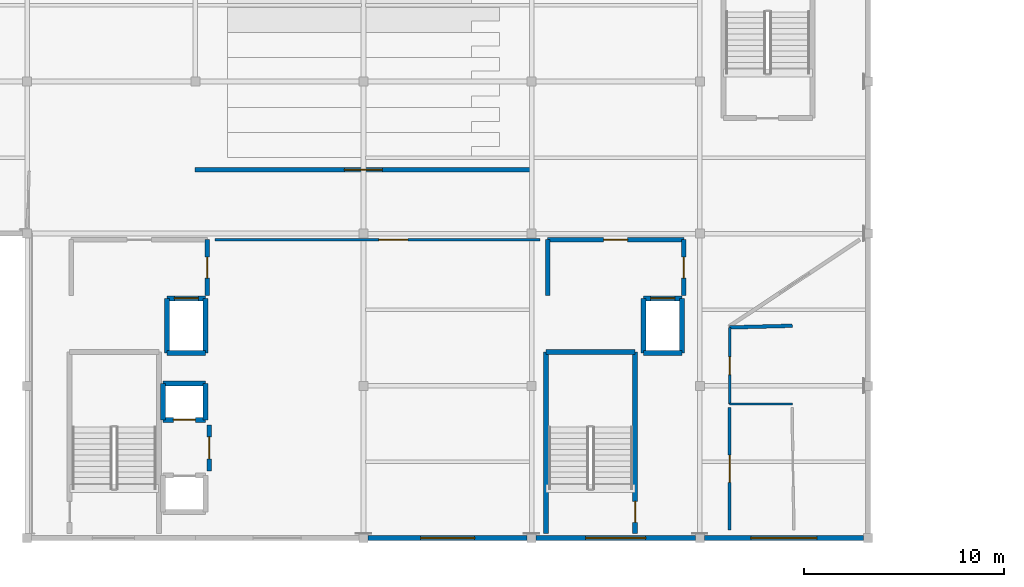
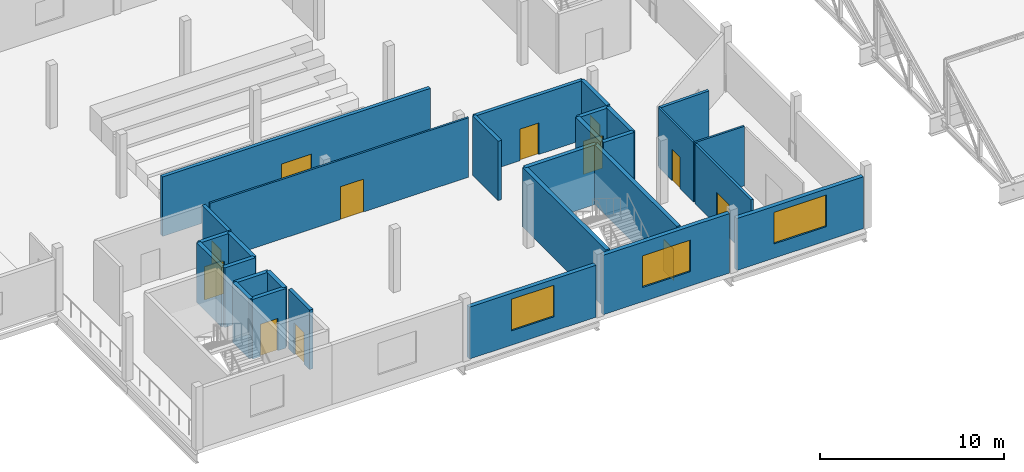
# One storey, part 51 of 57: 29 walls, 12 doors, 3 windows, 15 openings.
"""IFC4 building model written with IfcOpenShell, lengths in metres."""

import ifcopenshell
import ifcopenshell.guid

model = None  # the IFC model being written
_history = None  # IfcOwnerHistory: only IFC2X3 demands one
_inside = {}  # id of a spatial element -> (the spatial element, [elements in it])
_under = {}  # id of a project, library or spatial element -> (it, [spatial elements below it])
_declared = {}  # id of a project -> (the project, [libraries it declares])
_typed = {}  # id of a type object -> (the type object, [elements of that type])
_made_of = {}  # id of a material, layer set ... -> (it, [elements and type objects made of it])


def new_model(schema):
    """Start an empty IFC model of exactly this schema.

    Asked for "IFC4X3", IfcOpenShell would pick the latest addendum, in which some entities
    have other attributes; the version numbers below select the first issue.
    IFC2X3 requires an IfcOwnerHistory on every rooted entity: one is made here for all.
    """
    global model, _history
    if schema == "IFC4X3":
        model = ifcopenshell.file(schema_version=(4, 3, 0, 0))
    else:
        model = ifcopenshell.file(schema=schema)
    _inside.clear()
    _under.clear()
    _declared.clear()
    _typed.clear()
    _made_of.clear()
    _history = None
    if model.schema == "IFC2X3":
        org = make("IfcOrganization", Name="unknown")
        user = make(
            "IfcPersonAndOrganization",
            ThePerson=make("IfcPerson", FamilyName="unknown"),
            TheOrganization=org,
        )
        app = make(
            "IfcApplication",
            ApplicationDeveloper=org,
            Version="unknown",
            ApplicationFullName="unknown",
            ApplicationIdentifier="unknown",
        )
        _history = make(
            "IfcOwnerHistory",
            OwningUser=user,
            OwningApplication=app,
            ChangeAction="ADDED",
            CreationDate=0,
        )
    return model


def make(cls, **values):
    """One entity of the class cls with the attributes given. An attribute that is None is left unset."""
    return model.create_entity(
        cls, **{name: value for name, value in values.items() if value is not None}
    )


def rooted(cls, **values):
    """An entity with a GlobalId (a new one), such as an element, a storey or a relation."""
    return make(cls, GlobalId=ifcopenshell.guid.new(), OwnerHistory=_history, **values)


def si_unit(unit_type, name, prefix=None):
    """IfcSIUnit, for example si_unit("LENGTHUNIT", "METRE", prefix="MILLI")."""
    return make("IfcSIUnit", UnitType=unit_type, Prefix=prefix, Name=name)


def assignment(units):
    """IfcUnitAssignment: the units of a project."""
    return None if units is None else make("IfcUnitAssignment", Units=units)


def point(xyz):
    """IfcCartesianPoint."""
    return None if xyz is None else make("IfcCartesianPoint", Coordinates=xyz)


def direction(xyz):
    """IfcDirection."""
    return None if xyz is None else make("IfcDirection", DirectionRatios=xyz)


def frame(location, z_axis=None, x_axis=None):
    """IfcAxis2Placement3D, a coordinate frame: its origin and axes. An axis left out is left unset."""
    return make(
        "IfcAxis2Placement3D",
        Location=point(location),
        Axis=direction(z_axis),
        RefDirection=direction(x_axis),
    )


def frame_2d(location, x_axis=None):
    """IfcAxis2Placement2D, a coordinate frame in the plane: its origin and x axis."""
    return make(
        "IfcAxis2Placement2D", Location=point(location), RefDirection=direction(x_axis)
    )


def origin():
    """The frame at (0, 0, 0) with its axes left unset."""
    return frame((0.0, 0.0, 0.0))


def place(relative_to, where):
    """IfcLocalPlacement: puts the frame where relative to a parent placement (None: the world)."""
    return make(
        "IfcLocalPlacement", PlacementRelTo=relative_to, RelativePlacement=where
    )


def context(
    kind, dimensions, precision=None, world=None, true_north=None, identifier=None
):
    """IfcGeometricRepresentationContext, for example the 3D "Model" context."""
    return make(
        "IfcGeometricRepresentationContext",
        ContextIdentifier=identifier,
        ContextType=kind,
        CoordinateSpaceDimension=dimensions,
        Precision=precision,
        WorldCoordinateSystem=world,
        TrueNorth=true_north,
    )


def subcontext(parent, identifier, kind, view, scale=None):
    """IfcGeometricRepresentationSubContext, for example "Body" below "Model"."""
    return make(
        "IfcGeometricRepresentationSubContext",
        ContextIdentifier=identifier,
        ContextType=kind,
        ParentContext=parent,
        TargetScale=scale,
        TargetView=view,
    )


def project(units=None, contexts=None):
    """IfcProject with its units and contexts."""
    return rooted(
        "IfcProject",
        Name="project",
        RepresentationContexts=contexts,
        UnitsInContext=assignment(units),
    )


def spatial(cls, under=None, at=None, **own):
    """A site, building, storey or space (cls), placed at a placement, below another one or the project."""
    s = rooted(cls, ObjectPlacement=at, **own)
    if under is not None:
        _under.setdefault(under.id(), (under, []))[1].append(s)
    return s


def profile(cls, at=None, kind="AREA", **sizes):
    """A parametric profile (cls). Its sizes go by their IFC names, for example OverallWidth=200.0."""
    return make(cls, ProfileType=kind, Position=at, **sizes)


def rectangle(**sizes):
    """IfcRectangleProfileDef."""
    return profile("IfcRectangleProfileDef", **sizes)


def extrude(swept, where, along, depth):
    """IfcExtrudedAreaSolid: the profile swept, set in the frame where, extruded along a direction by depth."""
    return make(
        "IfcExtrudedAreaSolid",
        SweptArea=swept,
        Position=where,
        ExtrudedDirection=direction(along),
        Depth=depth,
    )


def shape(context_of_items, identifier, shape_type, items):
    """IfcShapeRepresentation: the items that make up one representation, for example the "Body"."""
    return make(
        "IfcShapeRepresentation",
        ContextOfItems=context_of_items,
        RepresentationIdentifier=identifier,
        RepresentationType=shape_type,
        Items=items,
    )


def material(Name=None, Category=None):
    """IfcMaterial."""
    return make("IfcMaterial", Name=Name, Category=Category)


def layer(
    of_material, thickness, ventilated=None, Name=None, Category=None, Priority=None
):
    """IfcMaterialLayer: one layer of a wall or slab, of a material (None: an air gap)."""
    return make(
        "IfcMaterialLayer",
        Material=of_material,
        LayerThickness=thickness,
        IsVentilated=ventilated,
        Name=Name,
        Category=Category,
        Priority=Priority,
    )


def layer_set(layers, Name=None):
    """IfcMaterialLayerSet."""
    return make("IfcMaterialLayerSet", MaterialLayers=layers, LayerSetName=Name)


def made_of(thing, what):
    """Note that an element or type object is made of a material, layer set ...; save() writes the relation."""
    if what is not None:
        _made_of.setdefault(what.id(), (what, []))[1].append(thing)
    return thing


def type_object(cls, material=None, **own):
    """A type object (cls), such as IfcWallType, which elements share."""
    return made_of(rooted(cls, **own), material)


def element(
    cls,
    number,
    at=None,
    inside=None,
    cuts=None,
    type_object=None,
    material=None,
    context=None,
    identifier="Body",
    shape_type=None,
    held_by="IfcProductDefinitionShape",
    body=None,
    shapes=None,
    **own,
):
    """One element of the class cls, such as IfcWall. Its Tag is "e" and its number.

    at: its placement. inside: the storey or other place that contains it. cuts: it is an
    opening in that element (IfcRelVoidsElement). A single representation is given by context,
    identifier, shape_type and body (its items); several are given by shapes. held_by: the class
    of the entity that holds the representations. save() writes the other relations.
    """
    e = rooted(cls, Tag="e%d" % number, ObjectPlacement=at, **own)
    if body is not None:
        shapes = [shape(context, identifier, shape_type, body)]
    if shapes is not None:
        e.Representation = make(held_by, Representations=shapes)
    if inside is not None:
        _inside.setdefault(inside.id(), (inside, []))[1].append(e)
    if cuts is not None:
        rooted(
            "IfcRelVoidsElement", RelatingBuildingElement=cuts, RelatedOpeningElement=e
        )
    if type_object is not None:
        _typed.setdefault(type_object.id(), (type_object, []))[1].append(e)
    return made_of(e, material)


def fill(opening, filler):
    """IfcRelFillsElement: the door or window that sits in an opening."""
    return rooted(
        "IfcRelFillsElement",
        RelatingOpeningElement=opening,
        RelatedBuildingElement=filler,
    )


def aggregate(whole, parts):
    """IfcRelAggregates: a whole, such as a stair, and the parts it consists of."""
    return rooted("IfcRelAggregates", RelatingObject=whole, RelatedObjects=parts)


def save(model, path):
    """Write the relations noted so far, then the file.

    IfcRelAggregates (storeys below a building ...), IfcRelContainedInSpatialStructure (elements
    in a storey), IfcRelDefinesByType, IfcRelAssociatesMaterial and IfcRelDeclares: one each for
    every whole, place, type object, material and project.
    """
    for whole, parts in _under.values():
        aggregate(whole, parts)
    for where, things in _inside.values():
        rooted(
            "IfcRelContainedInSpatialStructure",
            RelatedElements=things,
            RelatingStructure=where,
        )
    for kind, things in _typed.values():
        rooted("IfcRelDefinesByType", RelatedObjects=things, RelatingType=kind)
    for what, things in _made_of.values():
        rooted("IfcRelAssociatesMaterial", RelatedObjects=things, RelatingMaterial=what)
    for by, libraries in _declared.values():
        rooted("IfcRelDeclares", RelatingContext=by, RelatedDefinitions=libraries)
    model.write(path)


model = new_model("IFC4")

# Units and contexts
model_context = context("Model", 3, precision=1e-05, world=origin(), true_north=direction((0.0, 1.0)))
body_context = subcontext(model_context, "Body", "Model", "MODEL_VIEW")
ifc_project = project(units=[si_unit("LENGTHUNIT", "METRE"), si_unit("AREAUNIT", "SQUARE_METRE"), si_unit("VOLUMEUNIT", "CUBIC_METRE"), si_unit("PLANEANGLEUNIT", "RADIAN"), si_unit("MASSUNIT", "GRAM", prefix="KILO")], contexts=[model_context])

# Site, building, storey
site_placement = place(None, origin())
site = spatial("IfcSite", under=ifc_project, at=site_placement, CompositionType="ELEMENT")
building_placement = place(site_placement, origin())
building = spatial("IfcBuilding", under=site, at=building_placement, Name="Zuvorla Pavilion Media Centre", CompositionType="ELEMENT")
storey_placement = place(building_placement, frame((0.0, 0.0, 18.0)))
storey = spatial("IfcBuildingStorey", under=building, at=storey_placement, Name="L04", CompositionType="ELEMENT", Elevation=18.0)

# Wall, opening, door
ifc_material_1 = material(Name="Acoustic masonry blockwork C32/40", Category="masonry")
ifc_layer_1 = layer(ifc_material_1, 0.219970703125)
ifc_layer_set_1 = layer_set([ifc_layer_1], Name="Acoustic masonry blockwork C32/40")
wall_type_1 = type_object("IfcWallType", Name="WL-CMP-220", PredefinedType="SOLIDWALL", material=ifc_layer_set_1)
wall_1_placement = place(storey_placement, frame((75.800048828125, 18.10009765625, 0.0), z_axis=(0.0, 0.0, 1.0), x_axis=(0.0, 1.0, 0.0)))
wall_1 = element("IfcWall", 1, at=wall_1_placement, inside=storey, type_object=wall_type_1, Name="L04 solid wall IW22 45", PredefinedType="SOLIDWALL", context=body_context, shape_type="SweptSolid", body=[
    extrude(rectangle(XDim=2.7998046875, YDim=0.219970703125, at=frame_2d((1.39990234375, 0.0))), origin(), (0.0, 0.0, 1.0), 3.949951171875),
])
opening_1_placement = place(wall_1_placement, frame((0.875, 0.0, 0.0)))
opening_1 = element("IfcOpeningElement", 2, at=opening_1_placement, cuts=wall_1, Name="Opening FD04", PredefinedType="OPENING", context=body_context, shape_type="SweptSolid", body=[
    extrude(rectangle(XDim=1.050048828125, YDim=2.10009765625, at=frame_2d((0.52490234375, 1.050048828125))), frame((0.0, 0.119873046875, 0.0), z_axis=(0.0, -1.0, 0.0), x_axis=(1.0, 0.0, 0.0)), (0.0, 0.0, 1.0), 0.239990234375),
])
ifc_material_2 = material(Name="Acoustic timber fire door leaf in steel frame", Category="steel")
door_type_1 = type_object("IfcDoorType", Name="DR-INT-FD04", OperationType="NOTDEFINED", PredefinedType="DOOR", material=ifc_material_2)
door_1_placement = place(opening_1_placement, origin())
door_1 = element("IfcDoor", 3, at=door_1_placement, inside=storey, type_object=door_type_1, Name="Firefighting lobby 1 access door FD04 23", OperationType="SINGLE_SWING_LEFT", OverallHeight=2.10009765625, OverallWidth=1.050048828125, PredefinedType="DOOR", context=body_context, shape_type="SweptSolid", body=[
    extrude(rectangle(XDim=1.050048828125, YDim=2.10009765625, at=frame_2d((0.52490234375, 1.050048828125))), frame((0.0, 0.02490234375, 0.0), z_axis=(0.0, -1.0, 0.0), x_axis=(1.0, 0.0, 0.0)), (0.0, 0.0, 1.0), 0.050048828125),
])
fill(opening_1, door_1)

wall_2_placement = place(storey_placement, frame((75.89990234375, 9.35009765625, 0.0), z_axis=(0.0, 0.0, 1.0), x_axis=(0.0, 1.0, 0.0)))
wall_2 = element("IfcWall", 4, at=wall_2_placement, inside=storey, type_object=wall_type_1, Name="L04 solid wall IW22 46", PredefinedType="SOLIDWALL", context=body_context, shape_type="SweptSolid", body=[
    extrude(rectangle(XDim=2.2998046875, YDim=0.219970703125, at=frame_2d((1.14990234375, 0.0))), origin(), (0.0, 0.0, 1.0), 3.949951171875),
])
opening_2_placement = place(wall_2_placement, frame((0.60009765625, 0.0, 0.0)))
opening_2 = element("IfcOpeningElement", 5, at=opening_2_placement, cuts=wall_2, Name="Opening FD05", PredefinedType="OPENING", context=body_context, shape_type="SweptSolid", body=[
    extrude(rectangle(XDim=1.10009765625, YDim=2.10009765625, at=frame_2d((0.550048828125, 1.050048828125))), frame((0.0, 0.119873046875, 0.0), z_axis=(0.0, -1.0, 0.0), x_axis=(1.0, 0.0, 0.0)), (0.0, 0.0, 1.0), 0.239990234375),
])
door_type_2 = type_object("IfcDoorType", Name="DR-INT-FD05", OperationType="NOTDEFINED", PredefinedType="DOOR", material=ifc_material_2)
door_2_placement = place(opening_2_placement, origin())
door_2 = element("IfcDoor", 6, at=door_2_placement, inside=storey, type_object=door_type_2, Name="Lift lobby 1 door FD05 24", OperationType="SINGLE_SWING_RIGHT", OverallHeight=2.10009765625, OverallWidth=1.10009765625, PredefinedType="DOOR", context=body_context, shape_type="SweptSolid", body=[
    extrude(rectangle(XDim=1.10009765625, YDim=2.10009765625, at=frame_2d((0.550048828125, 1.050048828125))), frame((0.0, 0.02490234375, 0.0), z_axis=(0.0, -1.0, 0.0), x_axis=(1.0, 0.0, 0.0)), (0.0, 0.0, 1.0), 0.050048828125),
])
fill(opening_2, door_2)

wall_3_placement = place(storey_placement, frame((92.800048828125, 20.89990234375, 0.0), z_axis=(0.0, 0.0, 1.0), x_axis=(1.0, 0.0, 0.0)))
wall_3 = element("IfcWall", 7, at=wall_3_placement, inside=storey, type_object=wall_type_1, Name="L04 solid wall IW22 190", PredefinedType="SOLIDWALL", context=body_context, shape_type="SweptSolid", body=[
    extrude(rectangle(XDim=6.800048828125, YDim=0.219970703125, at=frame_2d((3.39990234375, 0.0))), origin(), (0.0, 0.0, 1.0), 3.949951171875),
])
opening_3_placement = place(wall_3_placement, frame((2.800048828125, 0.0, 0.0)))
opening_3 = element("IfcOpeningElement", 8, at=opening_3_placement, cuts=wall_3, Name="Opening FD06", PredefinedType="OPENING", context=body_context, shape_type="SweptSolid", body=[
    extrude(rectangle(XDim=1.199951171875, YDim=2.10009765625, at=frame_2d((0.60009765625, 1.050048828125))), frame((0.0, 0.119873046875, 0.0), z_axis=(0.0, -1.0, 0.0), x_axis=(1.0, 0.0, 0.0)), (0.0, 0.0, 1.0), 0.239990234375),
])
door_type_3 = type_object("IfcDoorType", Name="DR-INT-FD06", OperationType="NOTDEFINED", PredefinedType="DOOR", material=ifc_material_2)
door_3_placement = place(opening_3_placement, origin())
door_3 = element("IfcDoor", 9, at=door_3_placement, inside=storey, type_object=door_type_3, Name="Firefighting lobby 2 door FD06 73", OperationType="SINGLE_SWING_LEFT", OverallHeight=2.10009765625, OverallWidth=1.199951171875, PredefinedType="DOOR", context=body_context, shape_type="SweptSolid", body=[
    extrude(rectangle(XDim=1.199951171875, YDim=2.10009765625, at=frame_2d((0.60009765625, 1.050048828125))), frame((0.0, 0.02490234375, 0.0), z_axis=(0.0, -1.0, 0.0), x_axis=(1.0, 0.0, 0.0)), (0.0, 0.0, 1.0), 0.050048828125),
])
fill(opening_3, door_3)

# Wall
wall_4_placement = place(storey_placement, frame((92.800048828125, 18.10009765625, 0.0), z_axis=(0.0, 0.0, 1.0), x_axis=(0.0, 1.0, 0.0)))
element("IfcWall", 10, at=wall_4_placement, inside=storey, type_object=wall_type_1, Name="L04 solid wall IW22 191", PredefinedType="SOLIDWALL", context=body_context, shape_type="SweptSolid", body=[
    extrude(rectangle(XDim=2.7998046875, YDim=0.219970703125, at=frame_2d((1.39990234375, 0.0))), origin(), (0.0, 0.0, 1.0), 3.949951171875),
])

# Wall, opening, door
wall_5_placement = place(storey_placement, frame((99.60009765625, 18.10009765625, 0.0), z_axis=(0.0, 0.0, 1.0), x_axis=(0.0, 1.0, 0.0)))
wall_5 = element("IfcWall", 11, at=wall_5_placement, inside=storey, type_object=wall_type_1, Name="L04 solid wall IW22 192", PredefinedType="SOLIDWALL", context=body_context, shape_type="SweptSolid", body=[
    extrude(rectangle(XDim=2.7998046875, YDim=0.219970703125, at=frame_2d((1.39990234375, 0.0))), origin(), (0.0, 0.0, 1.0), 3.949951171875),
])
opening_4_placement = place(wall_5_placement, frame((0.875, 0.0, 0.0)))
opening_4 = element("IfcOpeningElement", 12, at=opening_4_placement, cuts=wall_5, Name="Opening FD04", PredefinedType="OPENING", context=body_context, shape_type="SweptSolid", body=[
    extrude(rectangle(XDim=1.050048828125, YDim=2.10009765625, at=frame_2d((0.52490234375, 1.050048828125))), frame((0.0, 0.119873046875, 0.0), z_axis=(0.0, -1.0, 0.0), x_axis=(1.0, 0.0, 0.0)), (0.0, 0.0, 1.0), 0.239990234375),
])
door_4_placement = place(opening_4_placement, origin())
door_4 = element("IfcDoor", 13, at=door_4_placement, inside=storey, type_object=door_type_1, Name="Firefighting lobby 2 access door FD04 74", OperationType="SINGLE_SWING_RIGHT", OverallHeight=2.10009765625, OverallWidth=1.050048828125, PredefinedType="DOOR", context=body_context, shape_type="SweptSolid", body=[
    extrude(rectangle(XDim=1.050048828125, YDim=2.10009765625, at=frame_2d((0.52490234375, 1.050048828125))), frame((0.0, 0.02490234375, 0.0), z_axis=(0.0, -1.0, 0.0), x_axis=(1.0, 0.0, 0.0)), (0.0, 0.0, 1.0), 0.050048828125),
])
fill(opening_4, door_4)

wall_6_placement = place(storey_placement, frame((75.180419921875, 24.39990234375, 0.0), z_axis=(0.0, 0.0, 1.0), x_axis=(1.0, 0.0, 0.0)))
wall_6 = element("IfcWall", 14, at=wall_6_placement, inside=storey, type_object=wall_type_1, Name="L04 solid wall IW22 553", PredefinedType="SOLIDWALL", context=body_context, shape_type="SweptSolid", body=[
    extrude(rectangle(XDim=16.839111328125, YDim=0.219970703125, at=frame_2d((8.41943359375, 0.0))), origin(), (0.0, 0.0, 1.0), 3.949951171875),
])
opening_5_placement = place(wall_6_placement, frame((7.469482421875, 0.0, 0.0)))
opening_5 = element("IfcOpeningElement", 15, at=opening_5_placement, cuts=wall_6, Name="Opening FD11", PredefinedType="OPENING", context=body_context, shape_type="SweptSolid", body=[
    extrude(rectangle(XDim=1.89990234375, YDim=2.199951171875, at=frame_2d((0.949951171875, 1.10009765625))), frame((0.0, 0.119873046875, 0.0), z_axis=(0.0, -1.0, 0.0), x_axis=(1.0, 0.0, 0.0)), (0.0, 0.0, 1.0), 0.239990234375),
])
door_type_4 = type_object("IfcDoorType", Name="DR-INT-FD11", OperationType="NOTDEFINED", PredefinedType="DOOR", material=ifc_material_2)
door_5_placement = place(opening_5_placement, origin())
door_5 = element("IfcDoor", 16, at=door_5_placement, inside=storey, type_object=door_type_4, Name="Interior door FD11 243", OperationType="DOUBLE_DOOR_SINGLE_SWING", OverallHeight=2.199951171875, OverallWidth=1.89990234375, PredefinedType="DOOR", context=body_context, shape_type="SweptSolid", body=[
    extrude(rectangle(XDim=1.89990234375, YDim=2.199951171875, at=frame_2d((0.949951171875, 1.10009765625))), frame((0.0, 0.02490234375, 0.0), z_axis=(0.0, -1.0, 0.0), x_axis=(1.0, 0.0, 0.0)), (0.0, 0.0, 1.0), 0.050048828125),
])
fill(opening_5, door_5)

ifc_material_3 = material(Name="Concrete C40/50", Category="concrete")
ifc_layer_2 = layer(ifc_material_3, 0.25)
ifc_layer_set_2 = layer_set([ifc_layer_2], Name="Concrete C40/50")
wall_type_2 = type_object("IfcWallType", Name="WL-COR-250", PredefinedType="SHEAR", material=ifc_layer_set_2)
wall_7_placement = place(storey_placement, frame((73.590087890625, 11.889892578125, 0.0), z_axis=(0.0, 0.0, 1.0), x_axis=(1.0, 0.0, 0.0)))
wall_7 = element("IfcWall", 17, at=wall_7_placement, inside=storey, type_object=wall_type_2, Name="L04 shear wall CW25 113", PredefinedType="SHEAR", context=body_context, shape_type="SweptSolid", body=[
    extrude(rectangle(XDim=2.119873046875, YDim=0.25, at=frame_2d((1.06005859375, 0.0))), origin(), (0.0, 0.0, 1.0), 3.9599609375),
])
opening_6_placement = place(wall_7_placement, frame((0.510009765625, 0.0, 0.0)))
opening_6 = element("IfcOpeningElement", 18, at=opening_6_placement, cuts=wall_7, Name="Opening LD01", PredefinedType="OPENING", context=body_context, shape_type="SweptSolid", body=[
    extrude(rectangle(XDim=1.10009765625, YDim=2.14990234375, at=frame_2d((0.550048828125, 1.074951171875))), frame((0.0, 0.135009765625, 0.0), z_axis=(0.0, -1.0, 0.0), x_axis=(1.0, 0.0, 0.0)), (0.0, 0.0, 1.0), 0.27001953125),
])
ifc_material_4 = material(Name="Brushed stainless steel sliding lift landing door", Category="steel")
door_type_5 = type_object("IfcDoorType", Name="DR-LFT-LD01", OperationType="SLIDING_TO_LEFT", PredefinedType="DOOR", material=ifc_material_4)
door_6_placement = place(opening_6_placement, origin())
door_6 = element("IfcDoor", 19, at=door_6_placement, inside=storey, type_object=door_type_5, Name="Lift LF-02 landing door LD01 46", OperationType="SLIDING_TO_LEFT", OverallHeight=2.14990234375, OverallWidth=1.10009765625, PredefinedType="DOOR", context=body_context, shape_type="SweptSolid", body=[
    extrude(rectangle(XDim=1.10009765625, YDim=2.14990234375, at=frame_2d((0.550048828125, 1.074951171875))), frame((0.0, 0.02490234375, 0.0), z_axis=(0.0, -1.0, 0.0), x_axis=(1.0, 0.0, 0.0)), (0.0, 0.0, 1.0), 0.050048828125),
])
fill(opening_6, door_6)

# Walls
wall_8_placement = place(storey_placement, frame((73.590087890625, 13.7099609375, 0.0), z_axis=(0.0, 0.0, 1.0), x_axis=(1.0, 0.0, 0.0)))
element("IfcWall", 20, at=wall_8_placement, inside=storey, type_object=wall_type_2, Name="L04 shear wall CW25 114", PredefinedType="SHEAR", context=body_context, shape_type="SweptSolid", body=[
    extrude(rectangle(XDim=2.119873046875, YDim=0.25, at=frame_2d((1.06005859375, 0.0))), origin(), (0.0, 0.0, 1.0), 3.9599609375),
])
for number, where, z_axis, x_axis, name in (
    (21, (73.590087890625, 11.889892578125, 0.0), (0.0, 0.0, 1.0), (0.0, 1.0, 0.0), "L04 shear wall CW25 115"),
    (22, (75.7099609375, 11.889892578125, 0.0), (0.0, 0.0, 1.0), (0.0, 1.0, 0.0), "L04 shear wall CW25 116"),
):
    element("IfcWall", number, at=place(storey_placement, frame(where, z_axis=z_axis, x_axis=x_axis)), inside=storey, type_object=wall_type_2, Name=name, PredefinedType="SHEAR", context=body_context, shape_type="SweptSolid", body=[
        extrude(rectangle(XDim=1.820068359375, YDim=0.25, at=frame_2d((0.91015625, 0.0))), origin(), (0.0, 0.0, 1.0), 3.9599609375),
    ])
wall_9_placement = place(storey_placement, frame((73.7900390625, 15.239990234375, 0.0), z_axis=(0.0, 0.0, 1.0), x_axis=(1.0, 0.0, 0.0)))
element("IfcWall", 23, at=wall_9_placement, inside=storey, type_object=wall_type_2, Name="L04 shear wall CW25 145", PredefinedType="SHEAR", context=body_context, shape_type="SweptSolid", body=[
    extrude(rectangle(XDim=1.919921875, YDim=0.25, at=frame_2d((0.9599609375, 0.0))), origin(), (0.0, 0.0, 1.0), 3.9599609375),
])

# Wall, opening, door
wall_10_placement = place(storey_placement, frame((73.7900390625, 17.9599609375, 0.0), z_axis=(0.0, 0.0, 1.0), x_axis=(1.0, 0.0, 0.0)))
wall_10 = element("IfcWall", 24, at=wall_10_placement, inside=storey, type_object=wall_type_2, Name="L04 shear wall CW25 146", PredefinedType="SHEAR", context=body_context, shape_type="SweptSolid", body=[
    extrude(rectangle(XDim=1.919921875, YDim=0.25, at=frame_2d((0.9599609375, 0.0))), origin(), (0.0, 0.0, 1.0), 3.9599609375),
])
opening_7_placement = place(wall_10_placement, frame((0.360107421875, 0.0, 0.0)))
opening_7 = element("IfcOpeningElement", 25, at=opening_7_placement, cuts=wall_10, Name="Opening LD02", PredefinedType="OPENING", context=body_context, shape_type="SweptSolid", body=[
    extrude(rectangle(XDim=1.199951171875, YDim=2.199951171875, at=frame_2d((0.60009765625, 1.10009765625))), frame((0.0, 0.135009765625, 0.0), z_axis=(0.0, -1.0, 0.0), x_axis=(1.0, 0.0, 0.0)), (0.0, 0.0, 1.0), 0.27001953125),
])
door_type_6 = type_object("IfcDoorType", Name="DR-LFT-LD02", OperationType="SLIDING_TO_LEFT", PredefinedType="DOOR", material=ifc_material_4)
door_7_placement = place(opening_7_placement, origin())
door_7 = element("IfcDoor", 26, at=door_7_placement, inside=storey, type_object=door_type_6, Name="Lift LF-03 landing door LD02 54", OperationType="SLIDING_TO_LEFT", OverallHeight=2.199951171875, OverallWidth=1.199951171875, PredefinedType="DOOR", context=body_context, shape_type="SweptSolid", body=[
    extrude(rectangle(XDim=1.199951171875, YDim=2.199951171875, at=frame_2d((0.60009765625, 1.10009765625))), frame((0.0, 0.02490234375, 0.0), z_axis=(0.0, -1.0, 0.0), x_axis=(1.0, 0.0, 0.0)), (0.0, 0.0, 1.0), 0.050048828125),
])
fill(opening_7, door_7)

# Walls
for number, where, z_axis, x_axis, name in (
    (27, (73.7900390625, 15.239990234375, 0.0), (0.0, 0.0, 1.0), (0.0, 1.0, 0.0), "L04 shear wall CW25 147"),
    (28, (75.7099609375, 15.239990234375, 0.0), (0.0, 0.0, 1.0), (0.0, 1.0, 0.0), "L04 shear wall CW25 148"),
):
    element("IfcWall", number, at=place(storey_placement, frame(where, z_axis=z_axis, x_axis=x_axis)), inside=storey, type_object=wall_type_2, Name=name, PredefinedType="SHEAR", context=body_context, shape_type="SweptSolid", body=[
        extrude(rectangle(XDim=2.719970703125, YDim=0.25, at=frame_2d((1.35986328125, 0.0))), origin(), (0.0, 0.0, 1.0), 3.9599609375),
    ])
wall_11_placement = place(storey_placement, frame((92.72509765625, 6.22509765625, 0.0), z_axis=(0.0, 0.0, 1.0), x_axis=(0.0, 1.0, 0.0)))
element("IfcWall", 29, at=wall_11_placement, inside=storey, type_object=wall_type_2, Name="L04 shear wall CW25 187", PredefinedType="SHEAR", context=body_context, shape_type="SweptSolid", body=[
    extrude(rectangle(XDim=9.0498046875, YDim=0.25, at=frame_2d((4.52490234375, 0.0))), origin(), (0.0, 0.0, 1.0), 3.9599609375),
])

# Wall, opening, door
wall_12_placement = place(storey_placement, frame((97.175048828125, 6.22509765625, 0.0), z_axis=(0.0, 0.0, 1.0), x_axis=(0.0, 1.0, 0.0)))
wall_12 = element("IfcWall", 30, at=wall_12_placement, inside=storey, type_object=wall_type_2, Name="L04 shear wall CW25 188", PredefinedType="SHEAR", context=body_context, shape_type="SweptSolid", body=[
    extrude(rectangle(XDim=9.0498046875, YDim=0.25, at=frame_2d((4.52490234375, 0.0))), origin(), (0.0, 0.0, 1.0), 3.9599609375),
])
opening_8_placement = place(wall_12_placement, frame((0.550048828125, 0.0, 0.0)))
opening_8 = element("IfcOpeningElement", 31, at=opening_8_placement, cuts=wall_12, Name="Opening FD04", PredefinedType="OPENING", context=body_context, shape_type="SweptSolid", body=[
    extrude(rectangle(XDim=1.050048828125, YDim=2.10009765625, at=frame_2d((0.52490234375, 1.050048828125))), frame((0.0, 0.135009765625, 0.0), z_axis=(0.0, -1.0, 0.0), x_axis=(1.0, 0.0, 0.0)), (0.0, 0.0, 1.0), 0.27001953125),
])
door_8_placement = place(opening_8_placement, frame((1.050048828125, 0.0, 0.0), z_axis=(0.0, 0.0, 1.0), x_axis=(-1.0, 0.0, 0.0)))
door_8 = element("IfcDoor", 32, at=door_8_placement, inside=storey, type_object=door_type_1, Name="Stair ST-02 fire door FD04 72", OperationType="SINGLE_SWING_LEFT", OverallHeight=2.10009765625, OverallWidth=1.050048828125, PredefinedType="DOOR", context=body_context, shape_type="SweptSolid", body=[
    extrude(rectangle(XDim=1.050048828125, YDim=2.10009765625, at=frame_2d((0.52490234375, 1.050048828125))), frame((0.0, 0.02490234375, 0.0), z_axis=(0.0, -1.0, 0.0), x_axis=(1.0, 0.0, 0.0)), (0.0, 0.0, 1.0), 0.050048828125),
])
fill(opening_8, door_8)

# Walls
wall_13_placement = place(storey_placement, frame((92.72509765625, 15.27490234375, 0.0), z_axis=(0.0, 0.0, 1.0), x_axis=(1.0, 0.0, 0.0)))
element("IfcWall", 33, at=wall_13_placement, inside=storey, type_object=wall_type_2, Name="L04 shear wall CW25 189", PredefinedType="SHEAR", context=body_context, shape_type="SweptSolid", body=[
    extrude(rectangle(XDim=4.449951171875, YDim=0.25, at=frame_2d((2.22509765625, 0.0))), origin(), (0.0, 0.0, 1.0), 3.9599609375),
])
wall_14_placement = place(storey_placement, frame((97.590087890625, 15.239990234375, 0.0), z_axis=(0.0, 0.0, 1.0), x_axis=(1.0, 0.0, 0.0)))
element("IfcWall", 34, at=wall_14_placement, inside=storey, type_object=wall_type_2, Name="L04 shear wall CW25 225", PredefinedType="SHEAR", context=body_context, shape_type="SweptSolid", body=[
    extrude(rectangle(XDim=1.919921875, YDim=0.25, at=frame_2d((0.9599609375, 0.0))), origin(), (0.0, 0.0, 1.0), 3.9599609375),
])

# Wall, opening, door
wall_15_placement = place(storey_placement, frame((97.590087890625, 17.9599609375, 0.0), z_axis=(0.0, 0.0, 1.0), x_axis=(1.0, 0.0, 0.0)))
wall_15 = element("IfcWall", 35, at=wall_15_placement, inside=storey, type_object=wall_type_2, Name="L04 shear wall CW25 226", PredefinedType="SHEAR", context=body_context, shape_type="SweptSolid", body=[
    extrude(rectangle(XDim=1.919921875, YDim=0.25, at=frame_2d((0.9599609375, 0.0))), origin(), (0.0, 0.0, 1.0), 3.9599609375),
])
opening_9_placement = place(wall_15_placement, frame((0.360107421875, 0.0, 0.0)))
opening_9 = element("IfcOpeningElement", 36, at=opening_9_placement, cuts=wall_15, Name="Opening LD02", PredefinedType="OPENING", context=body_context, shape_type="SweptSolid", body=[
    extrude(rectangle(XDim=1.199951171875, YDim=2.199951171875, at=frame_2d((0.60009765625, 1.10009765625))), frame((0.0, 0.135009765625, 0.0), z_axis=(0.0, -1.0, 0.0), x_axis=(1.0, 0.0, 0.0)), (0.0, 0.0, 1.0), 0.27001953125),
])
door_9_placement = place(opening_9_placement, origin())
door_9 = element("IfcDoor", 37, at=door_9_placement, inside=storey, type_object=door_type_6, Name="Lift LF-04 landing door LD02 86", OperationType="SLIDING_TO_LEFT", OverallHeight=2.199951171875, OverallWidth=1.199951171875, PredefinedType="DOOR", context=body_context, shape_type="SweptSolid", body=[
    extrude(rectangle(XDim=1.199951171875, YDim=2.199951171875, at=frame_2d((0.60009765625, 1.10009765625))), frame((0.0, 0.02490234375, 0.0), z_axis=(0.0, -1.0, 0.0), x_axis=(1.0, 0.0, 0.0)), (0.0, 0.0, 1.0), 0.050048828125),
])
fill(opening_9, door_9)

# Walls
for number, where, z_axis, x_axis, name in (
    (38, (97.590087890625, 15.239990234375, 0.0), (0.0, 0.0, 1.0), (0.0, 1.0, 0.0), "L04 shear wall CW25 227"),
    (39, (99.510009765625, 15.239990234375, 0.0), (0.0, 0.0, 1.0), (0.0, 1.0, 0.0), "L04 shear wall CW25 228"),
):
    element("IfcWall", number, at=place(storey_placement, frame(where, z_axis=z_axis, x_axis=x_axis)), inside=storey, type_object=wall_type_2, Name=name, PredefinedType="SHEAR", context=body_context, shape_type="SweptSolid", body=[
        extrude(rectangle(XDim=2.719970703125, YDim=0.25, at=frame_2d((1.35986328125, 0.0))), origin(), (0.0, 0.0, 1.0), 3.9599609375),
    ])

# Wall, opening, window
ifc_material_5 = material(Name="White rendered concrete C32/40", Category="concrete")
ifc_layer_3 = layer(ifc_material_5, 0.260009765625)
ifc_layer_set_3 = layer_set([ifc_layer_3], Name="White rendered concrete C32/40")
wall_type_3 = type_object("IfcWallType", Name="WL-EXT-260", PredefinedType="SOLIDWALL", material=ifc_layer_set_3)
wall_16_placement = place(storey_placement, frame((83.824951171875, 6.0, 0.0), z_axis=(0.0, 0.0, 1.0), x_axis=(1.0, 0.0, 0.0)))
wall_16 = element("IfcWall", 40, at=wall_16_placement, inside=storey, type_object=wall_type_3, Name="L04 exterior solid wall EW04 277", PredefinedType="SOLIDWALL", context=body_context, shape_type="SweptSolid", body=[
    extrude(rectangle(XDim=7.949951171875, YDim=0.260009765625, at=frame_2d((3.97509765625, 0.0))), origin(), (0.0, 0.0, 1.0), 3.447021484375),
])
opening_10_placement = place(wall_16_placement, frame((2.625, 0.0, 0.949951171875)))
opening_10 = element("IfcOpeningElement", 41, at=opening_10_placement, cuts=wall_16, Name="Opening WN22", PredefinedType="OPENING", context=body_context, shape_type="SweptSolid", body=[
    extrude(rectangle(XDim=2.699951171875, YDim=2.10009765625, at=frame_2d((1.35009765625, 1.050048828125))), frame((0.0, 0.139892578125, 0.0), z_axis=(0.0, -1.0, 0.0), x_axis=(1.0, 0.0, 0.0)), (0.0, 0.0, 1.0), 0.280029296875),
])
ifc_material_6 = material(Name="Anodised aluminium frame with solar double glazing", Category="aluminium")
window_type_1 = type_object("IfcWindowType", Name="WIN-WN22", PartitioningType="DOUBLE_PANEL_VERTICAL", PredefinedType="WINDOW", material=ifc_material_6)
window_1_placement = place(opening_10_placement, origin())
window_1 = element("IfcWindow", 42, at=window_1_placement, inside=storey, type_object=window_type_1, Name="L04 window WN22 106", OverallHeight=2.10009765625, OverallWidth=2.699951171875, PartitioningType="DOUBLE_PANEL_VERTICAL", PredefinedType="WINDOW", context=body_context, shape_type="SweptSolid", body=[
    extrude(rectangle(XDim=2.699951171875, YDim=2.10009765625, at=frame_2d((1.35009765625, 1.050048828125))), frame((0.0, 0.030029296875, 0.0), z_axis=(0.0, -1.0, 0.0), x_axis=(1.0, 0.0, 0.0)), (0.0, 0.0, 1.0), 0.06005859375),
])
fill(opening_10, window_1)

wall_17_placement = place(storey_placement, frame((92.22509765625, 6.0, 0.0), z_axis=(0.0, 0.0, 1.0), x_axis=(1.0, 0.0, 0.0)))
wall_17 = element("IfcWall", 43, at=wall_17_placement, inside=storey, type_object=wall_type_3, Name="L04 exterior solid wall EW04 278", PredefinedType="SOLIDWALL", context=body_context, shape_type="SweptSolid", body=[
    extrude(rectangle(XDim=7.949951171875, YDim=0.260009765625, at=frame_2d((3.97509765625, 0.0))), origin(), (0.0, 0.0, 1.0), 3.949951171875),
])
opening_11_placement = place(wall_17_placement, frame((2.47509765625, 0.0, 0.949951171875)))
opening_11 = element("IfcOpeningElement", 44, at=opening_11_placement, cuts=wall_17, Name="Opening WN23", PredefinedType="OPENING", context=body_context, shape_type="SweptSolid", body=[
    extrude(rectangle(XDim=3.0, YDim=2.10009765625, at=frame_2d((1.5, 1.050048828125))), frame((0.0, 0.139892578125, 0.0), z_axis=(0.0, -1.0, 0.0), x_axis=(1.0, 0.0, 0.0)), (0.0, 0.0, 1.0), 0.280029296875),
])
window_type_2 = type_object("IfcWindowType", Name="WIN-WN23", PartitioningType="DOUBLE_PANEL_VERTICAL", PredefinedType="WINDOW", material=ifc_material_6)
window_2_placement = place(opening_11_placement, origin())
window_2 = element("IfcWindow", 45, at=window_2_placement, inside=storey, type_object=window_type_2, Name="L04 window WN23 107", OverallHeight=2.10009765625, OverallWidth=3.0, PartitioningType="DOUBLE_PANEL_VERTICAL", PredefinedType="WINDOW", context=body_context, shape_type="SweptSolid", body=[
    extrude(rectangle(XDim=3.0, YDim=2.10009765625, at=frame_2d((1.5, 1.050048828125))), frame((0.0, 0.030029296875, 0.0), z_axis=(0.0, -1.0, 0.0), x_axis=(1.0, 0.0, 0.0)), (0.0, 0.0, 1.0), 0.06005859375),
])
fill(opening_11, window_2)

wall_18_placement = place(storey_placement, frame((100.625, 6.0, 0.0), z_axis=(0.0, 0.0, 1.0), x_axis=(1.0, 0.0, 0.0)))
wall_18 = element("IfcWall", 46, at=wall_18_placement, inside=storey, type_object=wall_type_3, Name="L04 exterior solid wall EW04 279", PredefinedType="SOLIDWALL", context=body_context, shape_type="SweptSolid", body=[
    extrude(rectangle(XDim=7.949951171875, YDim=0.260009765625, at=frame_2d((3.97509765625, 0.0))), origin(), (0.0, 0.0, 1.0), 3.447021484375),
])
opening_12_placement = place(wall_18_placement, frame((2.324951171875, 0.0, 0.949951171875)))
opening_12 = element("IfcOpeningElement", 47, at=opening_12_placement, cuts=wall_18, Name="Opening WN24", PredefinedType="OPENING", context=body_context, shape_type="SweptSolid", body=[
    extrude(rectangle(XDim=3.300048828125, YDim=2.10009765625, at=frame_2d((1.64990234375, 1.050048828125))), frame((0.0, 0.139892578125, 0.0), z_axis=(0.0, -1.0, 0.0), x_axis=(1.0, 0.0, 0.0)), (0.0, 0.0, 1.0), 0.280029296875),
])
window_type_3 = type_object("IfcWindowType", Name="WIN-WN24", PartitioningType="DOUBLE_PANEL_VERTICAL", PredefinedType="WINDOW", material=ifc_material_6)
window_3_placement = place(opening_12_placement, origin())
window_3 = element("IfcWindow", 48, at=window_3_placement, inside=storey, type_object=window_type_3, Name="L04 window WN24 108", OverallHeight=2.10009765625, OverallWidth=3.300048828125, PartitioningType="DOUBLE_PANEL_VERTICAL", PredefinedType="WINDOW", context=body_context, shape_type="SweptSolid", body=[
    extrude(rectangle(XDim=3.300048828125, YDim=2.10009765625, at=frame_2d((1.64990234375, 1.050048828125))), frame((0.0, 0.030029296875, 0.0), z_axis=(0.0, -1.0, 0.0), x_axis=(1.0, 0.0, 0.0)), (0.0, 0.0, 1.0), 0.06005859375),
])
fill(opening_12, window_3)

# Wall, opening, door
ifc_material_7 = material(Name="Lightweight gypsum partition")
ifc_layer_4 = layer(ifc_material_7, 0.1201171875)
ifc_layer_set_4 = layer_set([ifc_layer_4], Name="Lightweight gypsum partition")
wall_type_4 = type_object("IfcWallType", Name="WL-PRT-120", PredefinedType="PARTITIONING", material=ifc_layer_set_4)
wall_19_placement = place(storey_placement, frame((101.891357421875, 12.679931640625, 0.0), z_axis=(0.0, 0.0, 1.0), x_axis=(0.002098030858, 0.999997799131, 0.0)))
wall_19 = element("IfcWall", 49, at=wall_19_placement, inside=storey, type_object=wall_type_4, Name="L04 partition PT12 549", PredefinedType="PARTITIONING", context=body_context, shape_type="SweptSolid", body=[
    extrude(rectangle(XDim=3.840087890625, YDim=0.1201171875, at=frame_2d((1.919921875, 0.0))), origin(), (0.0, 0.0, 1.0), 3.949951171875),
])
opening_13_placement = place(wall_19_placement, frame((1.47998046875, 0.0, 0.0)))
opening_13 = element("IfcOpeningElement", 50, at=opening_13_placement, cuts=wall_19, Name="Opening ID01", PredefinedType="OPENING", context=body_context, shape_type="SweptSolid", body=[
    extrude(rectangle(XDim=0.8798828125, YDim=2.080078125, at=frame_2d((0.43994140625, 1.0400390625))), frame((0.0, 0.070068359375, 0.0), z_axis=(0.0, -1.0, 0.0), x_axis=(1.0, 0.0, 0.0)), (0.0, 0.0, 1.0), 0.14013671875),
])
ifc_material_8 = material(Name="Hardwood acoustic studio door in anodised frame", Category="wood")
door_type_7 = type_object("IfcDoorType", Name="DR-UNR-ID01", OperationType="NOTDEFINED", PredefinedType="DOOR", material=ifc_material_8)
door_10_placement = place(opening_13_placement, origin())
door_10 = element("IfcDoor", 51, at=door_10_placement, inside=storey, type_object=door_type_7, Name="Interior door ID01 239", OperationType="SINGLE_SWING_RIGHT", OverallHeight=2.080078125, OverallWidth=0.8798828125, PredefinedType="DOOR", context=body_context, shape_type="SweptSolid", body=[
    extrude(rectangle(XDim=0.8798828125, YDim=2.080078125, at=frame_2d((0.43994140625, 1.0400390625))), frame((0.0, 0.02490234375, 0.0), z_axis=(0.0, -1.0, 0.0), x_axis=(1.0, 0.0, 0.0)), (0.0, 0.0, 1.0), 0.050048828125),
])
fill(opening_13, door_10)

wall_20_placement = place(storey_placement, frame((92.41943359375, 20.89990234375, 0.0), z_axis=(0.0, 0.0, 1.0), x_axis=(-1.0, 0.0, 0.0)))
wall_20 = element("IfcWall", 52, at=wall_20_placement, inside=storey, type_object=wall_type_4, Name="L04 partition PT12 552", PredefinedType="PARTITIONING", context=body_context, shape_type="SweptSolid", body=[
    extrude(rectangle(XDim=16.239013671875, YDim=0.1201171875, at=frame_2d((8.11962890625, 0.0))), origin(), (0.0, 0.0, 1.0), 3.949951171875),
])
opening_14_placement = place(wall_20_placement, frame((6.594482421875, 0.0, 0.0)))
opening_14 = element("IfcOpeningElement", 53, at=opening_14_placement, cuts=wall_20, Name="Opening ID09", PredefinedType="OPENING", context=body_context, shape_type="SweptSolid", body=[
    extrude(rectangle(XDim=1.449951171875, YDim=2.179931640625, at=frame_2d((0.72509765625, 1.08984375))), frame((0.0, 0.070068359375, 0.0), z_axis=(0.0, -1.0, 0.0), x_axis=(1.0, 0.0, 0.0)), (0.0, 0.0, 1.0), 0.14013671875),
])
door_type_8 = type_object("IfcDoorType", Name="DR-UNR-ID09", OperationType="NOTDEFINED", PredefinedType="DOOR", material=ifc_material_8)
door_11_placement = place(opening_14_placement, origin())
door_11 = element("IfcDoor", 54, at=door_11_placement, inside=storey, type_object=door_type_8, Name="Interior door ID09 242", OperationType="DOUBLE_DOOR_SINGLE_SWING", OverallHeight=2.179931640625, OverallWidth=1.449951171875, PredefinedType="DOOR", context=body_context, shape_type="SweptSolid", body=[
    extrude(rectangle(XDim=1.449951171875, YDim=2.179931640625, at=frame_2d((0.72509765625, 1.08984375))), frame((0.0, 0.02490234375, 0.0), z_axis=(0.0, -1.0, 0.0), x_axis=(1.0, 0.0, 0.0)), (0.0, 0.0, 1.0), 0.050048828125),
])
fill(opening_14, door_11)

# Wall
wall_21_placement = place(storey_placement, frame((105.02001953125, 12.68994140625, 0.0), z_axis=(0.0, 0.0, 1.0), x_axis=(-1.0, 0.0, 0.0)))
element("IfcWall", 55, at=wall_21_placement, inside=storey, type_object=wall_type_4, Name="L04 partition PT12 556", PredefinedType="PARTITIONING", context=body_context, shape_type="SweptSolid", body=[
    extrude(rectangle(XDim=3.14013671875, YDim=0.1201171875, at=frame_2d((1.570068359375, 0.0))), origin(), (0.0, 0.0, 1.0), 3.949951171875),
])

# Wall, opening, door
ifc_material_9 = material(Name="Acoustic gypsum stud partition")
ifc_layer_5 = layer(ifc_material_9, 0.14990234375)
ifc_layer_set_5 = layer_set([ifc_layer_5], Name="Acoustic gypsum stud partition")
wall_type_5 = type_object("IfcWallType", Name="WL-PRT-150", PredefinedType="PARTITIONING", material=ifc_layer_set_5)
wall_22_placement = place(storey_placement, frame((101.889892578125, 6.39990234375, 0.0), z_axis=(0.0, 0.0, 1.0), x_axis=(0.000239741073, 0.999999971262, 0.0)))
wall_22 = element("IfcWall", 56, at=wall_22_placement, inside=storey, type_object=wall_type_5, Name="L04 partition PT15 550", PredefinedType="PARTITIONING", context=body_context, shape_type="SweptSolid", body=[
    extrude(rectangle(XDim=6.110107421875, YDim=0.14990234375, at=frame_2d((3.05517578125, 0.0))), origin(), (0.0, 0.0, 1.0), 3.949951171875),
])
opening_15_placement = place(wall_22_placement, frame((2.3798828125, 0.0, 0.0)))
opening_15 = element("IfcOpeningElement", 57, at=opening_15_placement, cuts=wall_22, Name="Opening ID08", PredefinedType="OPENING", context=body_context, shape_type="SweptSolid", body=[
    extrude(rectangle(XDim=1.35009765625, YDim=2.179931640625, at=frame_2d((0.675048828125, 1.08984375))), frame((0.0, 0.0849609375, 0.0), z_axis=(0.0, -1.0, 0.0), x_axis=(1.0, 0.0, 0.0)), (0.0, 0.0, 1.0), 0.169921875),
])
door_type_9 = type_object("IfcDoorType", Name="DR-UNR-ID08", OperationType="NOTDEFINED", PredefinedType="DOOR", material=ifc_material_8)
door_12_placement = place(opening_15_placement, origin())
door_12 = element("IfcDoor", 58, at=door_12_placement, inside=storey, type_object=door_type_9, Name="Interior door ID08 240", OperationType="DOUBLE_DOOR_SINGLE_SWING", OverallHeight=2.179931640625, OverallWidth=1.35009765625, PredefinedType="DOOR", context=body_context, shape_type="SweptSolid", body=[
    extrude(rectangle(XDim=1.35009765625, YDim=2.179931640625, at=frame_2d((0.675048828125, 1.08984375))), frame((0.0, 0.02490234375, 0.0), z_axis=(0.0, -1.0, 0.0), x_axis=(1.0, 0.0, 0.0)), (0.0, 0.0, 1.0), 0.050048828125),
])
fill(opening_15, door_12)

# Wall
ifc_material_10 = material(Name="Double acoustic gypsum stud partition")
ifc_layer_6 = layer(ifc_material_10, 0.179931640625)
ifc_layer_set_6 = layer_set([ifc_layer_6], Name="Double acoustic gypsum stud partition")
wall_type_6 = type_object("IfcWallType", Name="WL-PRT-180", PredefinedType="PARTITIONING", material=ifc_layer_set_6)
wall_23_placement = place(storey_placement, frame((101.8798828125, 16.5126953125, 0.0), z_axis=(0.0, 0.0, 1.0), x_axis=(0.999632070922, 0.02712421029, 0.0)))
element("IfcWall", 59, at=wall_23_placement, inside=storey, type_object=wall_type_6, Name="L04 partition PT18 557", PredefinedType="PARTITIONING", context=body_context, shape_type="SweptSolid", body=[
    extrude(rectangle(XDim=3.141357421875, YDim=0.179931640625, at=frame_2d((1.57080078125, 0.0))), origin(), (0.0, 0.0, 1.0), 3.949951171875),
])

save(model, "model.ifc")
